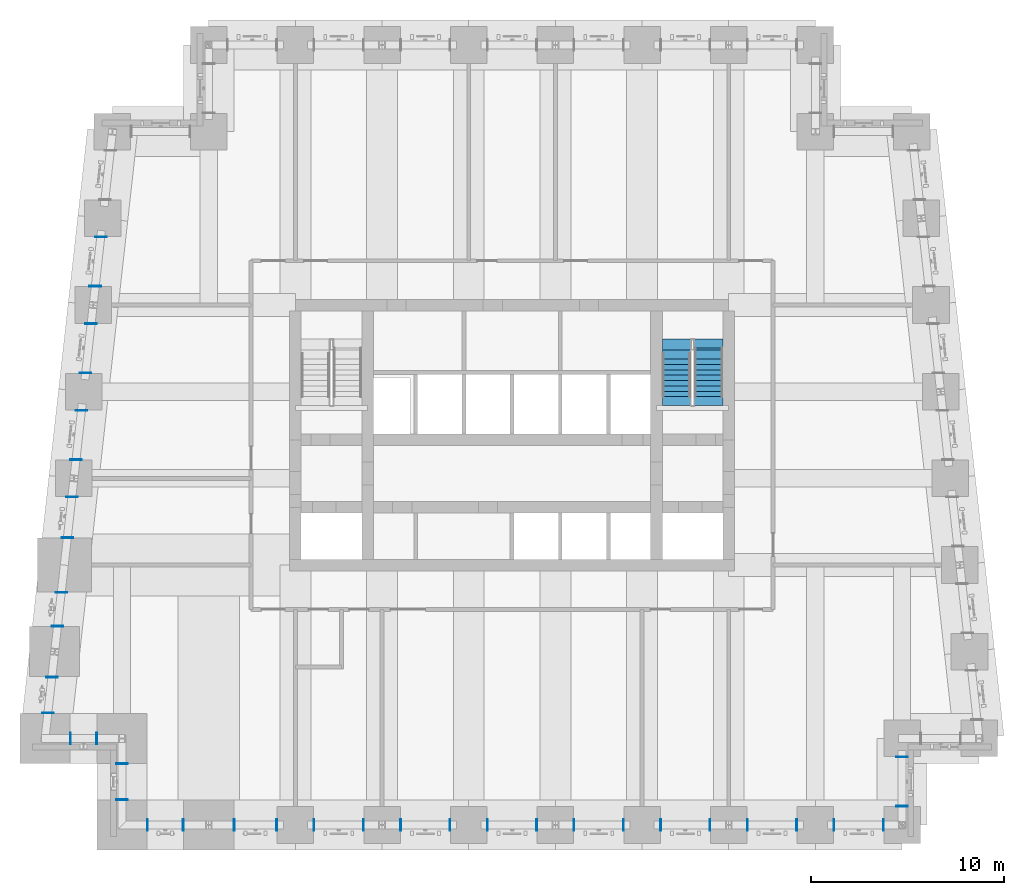
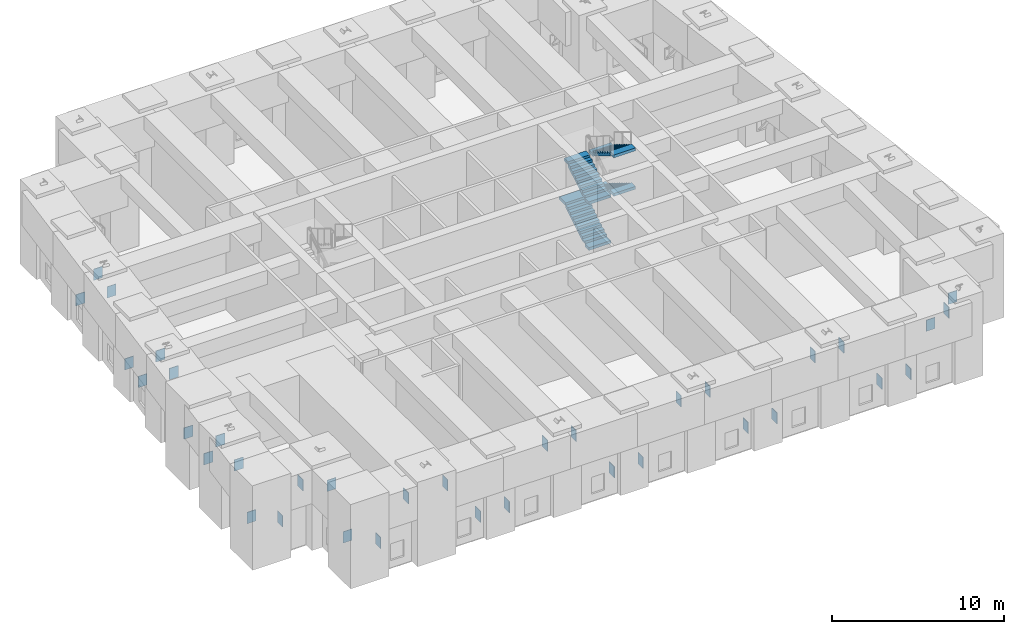
# One storey, part 6 of 17: 36 discrete accessories, 4 stair flights, 1 element without a shape of its own.
"""IFC4 building model written with IfcOpenShell, lengths in metres."""

import ifcopenshell
import ifcopenshell.guid

model = None  # the IFC model being written
_history = None  # IfcOwnerHistory: only IFC2X3 demands one
_inside = {}  # id of a spatial element -> (the spatial element, [elements in it])
_under = {}  # id of a project, library or spatial element -> (it, [spatial elements below it])
_declared = {}  # id of a project -> (the project, [libraries it declares])
_typed = {}  # id of a type object -> (the type object, [elements of that type])
_made_of = {}  # id of a material, layer set ... -> (it, [elements and type objects made of it])


def new_model(schema):
    """Start an empty IFC model of exactly this schema.

    Asked for "IFC4X3", IfcOpenShell would pick the latest addendum, in which some entities
    have other attributes; the version numbers below select the first issue.
    IFC2X3 requires an IfcOwnerHistory on every rooted entity: one is made here for all.
    """
    global model, _history
    if schema == "IFC4X3":
        model = ifcopenshell.file(schema_version=(4, 3, 0, 0))
    else:
        model = ifcopenshell.file(schema=schema)
    _inside.clear()
    _under.clear()
    _declared.clear()
    _typed.clear()
    _made_of.clear()
    _history = None
    if model.schema == "IFC2X3":
        org = make("IfcOrganization", Name="unknown")
        user = make(
            "IfcPersonAndOrganization",
            ThePerson=make("IfcPerson", FamilyName="unknown"),
            TheOrganization=org,
        )
        app = make(
            "IfcApplication",
            ApplicationDeveloper=org,
            Version="unknown",
            ApplicationFullName="unknown",
            ApplicationIdentifier="unknown",
        )
        _history = make(
            "IfcOwnerHistory",
            OwningUser=user,
            OwningApplication=app,
            ChangeAction="ADDED",
            CreationDate=0,
        )
    return model


def make(cls, **values):
    """One entity of the class cls with the attributes given. An attribute that is None is left unset."""
    return model.create_entity(
        cls, **{name: value for name, value in values.items() if value is not None}
    )


def rooted(cls, **values):
    """An entity with a GlobalId (a new one), such as an element, a storey or a relation."""
    return make(cls, GlobalId=ifcopenshell.guid.new(), OwnerHistory=_history, **values)


def si_unit(unit_type, name, prefix=None):
    """IfcSIUnit, for example si_unit("LENGTHUNIT", "METRE", prefix="MILLI")."""
    return make("IfcSIUnit", UnitType=unit_type, Prefix=prefix, Name=name)


def assignment(units):
    """IfcUnitAssignment: the units of a project."""
    return None if units is None else make("IfcUnitAssignment", Units=units)


def point(xyz):
    """IfcCartesianPoint."""
    return None if xyz is None else make("IfcCartesianPoint", Coordinates=xyz)


def direction(xyz):
    """IfcDirection."""
    return None if xyz is None else make("IfcDirection", DirectionRatios=xyz)


def frame(location, z_axis=None, x_axis=None):
    """IfcAxis2Placement3D, a coordinate frame: its origin and axes. An axis left out is left unset."""
    return make(
        "IfcAxis2Placement3D",
        Location=point(location),
        Axis=direction(z_axis),
        RefDirection=direction(x_axis),
    )


def origin():
    """The frame at (0, 0, 0) with its axes left unset."""
    return frame((0.0, 0.0, 0.0))


def place(relative_to, where):
    """IfcLocalPlacement: puts the frame where relative to a parent placement (None: the world)."""
    return make(
        "IfcLocalPlacement", PlacementRelTo=relative_to, RelativePlacement=where
    )


def context(
    kind, dimensions, precision=None, world=None, true_north=None, identifier=None
):
    """IfcGeometricRepresentationContext, for example the 3D "Model" context."""
    return make(
        "IfcGeometricRepresentationContext",
        ContextIdentifier=identifier,
        ContextType=kind,
        CoordinateSpaceDimension=dimensions,
        Precision=precision,
        WorldCoordinateSystem=world,
        TrueNorth=true_north,
    )


def subcontext(parent, identifier, kind, view, scale=None):
    """IfcGeometricRepresentationSubContext, for example "Body" below "Model"."""
    return make(
        "IfcGeometricRepresentationSubContext",
        ContextIdentifier=identifier,
        ContextType=kind,
        ParentContext=parent,
        TargetScale=scale,
        TargetView=view,
    )


def project(units=None, contexts=None):
    """IfcProject with its units and contexts."""
    return rooted(
        "IfcProject",
        Name="project",
        RepresentationContexts=contexts,
        UnitsInContext=assignment(units),
    )


def spatial(cls, under=None, at=None, **own):
    """A site, building, storey or space (cls), placed at a placement, below another one or the project."""
    s = rooted(cls, ObjectPlacement=at, **own)
    if under is not None:
        _under.setdefault(under.id(), (under, []))[1].append(s)
    return s


def polyline(points):
    """IfcPolyline through the points."""
    return make("IfcPolyline", Points=[point(p) for p in points])


def outline(outer, holes=None, kind="AREA"):
    """IfcArbitraryClosedProfileDef: a profile drawn as a closed curve; with holes, ...WithVoids."""
    if holes is None:
        return make("IfcArbitraryClosedProfileDef", ProfileType=kind, OuterCurve=outer)
    return make(
        "IfcArbitraryProfileDefWithVoids",
        ProfileType=kind,
        OuterCurve=outer,
        InnerCurves=holes,
    )


def extrude(swept, where, along, depth):
    """IfcExtrudedAreaSolid: the profile swept, set in the frame where, extruded along a direction by depth."""
    return make(
        "IfcExtrudedAreaSolid",
        SweptArea=swept,
        Position=where,
        ExtrudedDirection=direction(along),
        Depth=depth,
    )


def shape(context_of_items, identifier, shape_type, items):
    """IfcShapeRepresentation: the items that make up one representation, for example the "Body"."""
    return make(
        "IfcShapeRepresentation",
        ContextOfItems=context_of_items,
        RepresentationIdentifier=identifier,
        RepresentationType=shape_type,
        Items=items,
    )


def source(mapping_origin, context_of_items, identifier, shape_type, items):
    """IfcRepresentationMap: a shape defined once, which mapped items show again and again."""
    return make(
        "IfcRepresentationMap",
        MappingOrigin=mapping_origin,
        MappedRepresentation=shape(context_of_items, identifier, shape_type, items),
    )


def transform(
    local_origin,
    x_axis=None,
    y_axis=None,
    z_axis=None,
    scale=None,
    scale2=None,
    scale3=None,
    uniform=True,
):
    """IfcCartesianTransformationOperator3D, or its non-uniform kind. x_axis, y_axis, z_axis: its Axis1, 2, 3."""
    if uniform:
        return make(
            "IfcCartesianTransformationOperator3D",
            Axis1=direction(x_axis),
            Axis2=direction(y_axis),
            LocalOrigin=point(local_origin),
            Scale=scale,
            Axis3=direction(z_axis),
        )
    return make(
        "IfcCartesianTransformationOperator3DnonUniform",
        Axis1=direction(x_axis),
        Axis2=direction(y_axis),
        LocalOrigin=point(local_origin),
        Scale=scale,
        Axis3=direction(z_axis),
        Scale2=scale2,
        Scale3=scale3,
    )


def mapped(mapping_source, mapping_target):
    """IfcMappedItem: shows the shape of a source again, moved by a transform."""
    return make(
        "IfcMappedItem", MappingSource=mapping_source, MappingTarget=mapping_target
    )


def material(Name=None, Category=None):
    """IfcMaterial."""
    return make("IfcMaterial", Name=Name, Category=Category)


def layer(
    of_material, thickness, ventilated=None, Name=None, Category=None, Priority=None
):
    """IfcMaterialLayer: one layer of a wall or slab, of a material (None: an air gap)."""
    return make(
        "IfcMaterialLayer",
        Material=of_material,
        LayerThickness=thickness,
        IsVentilated=ventilated,
        Name=Name,
        Category=Category,
        Priority=Priority,
    )


def layer_set(layers, Name=None):
    """IfcMaterialLayerSet."""
    return make("IfcMaterialLayerSet", MaterialLayers=layers, LayerSetName=Name)


def made_of(thing, what):
    """Note that an element or type object is made of a material, layer set ...; save() writes the relation."""
    if what is not None:
        _made_of.setdefault(what.id(), (what, []))[1].append(thing)
    return thing


def type_object(cls, material=None, **own):
    """A type object (cls), such as IfcWallType, which elements share."""
    return made_of(rooted(cls, **own), material)


def element(
    cls,
    number,
    at=None,
    inside=None,
    cuts=None,
    type_object=None,
    material=None,
    context=None,
    identifier="Body",
    shape_type=None,
    held_by="IfcProductDefinitionShape",
    body=None,
    shapes=None,
    **own,
):
    """One element of the class cls, such as IfcWall. Its Tag is "e" and its number.

    at: its placement. inside: the storey or other place that contains it. cuts: it is an
    opening in that element (IfcRelVoidsElement). A single representation is given by context,
    identifier, shape_type and body (its items); several are given by shapes. held_by: the class
    of the entity that holds the representations. save() writes the other relations.
    """
    e = rooted(cls, Tag="e%d" % number, ObjectPlacement=at, **own)
    if body is not None:
        shapes = [shape(context, identifier, shape_type, body)]
    if shapes is not None:
        e.Representation = make(held_by, Representations=shapes)
    if inside is not None:
        _inside.setdefault(inside.id(), (inside, []))[1].append(e)
    if cuts is not None:
        rooted(
            "IfcRelVoidsElement", RelatingBuildingElement=cuts, RelatedOpeningElement=e
        )
    if type_object is not None:
        _typed.setdefault(type_object.id(), (type_object, []))[1].append(e)
    return made_of(e, material)


def aggregate(whole, parts):
    """IfcRelAggregates: a whole, such as a stair, and the parts it consists of."""
    return rooted("IfcRelAggregates", RelatingObject=whole, RelatedObjects=parts)


def save(model, path):
    """Write the relations noted so far, then the file.

    IfcRelAggregates (storeys below a building ...), IfcRelContainedInSpatialStructure (elements
    in a storey), IfcRelDefinesByType, IfcRelAssociatesMaterial and IfcRelDeclares: one each for
    every whole, place, type object, material and project.
    """
    for whole, parts in _under.values():
        aggregate(whole, parts)
    for where, things in _inside.values():
        rooted(
            "IfcRelContainedInSpatialStructure",
            RelatedElements=things,
            RelatingStructure=where,
        )
    for kind, things in _typed.values():
        rooted("IfcRelDefinesByType", RelatedObjects=things, RelatingType=kind)
    for what, things in _made_of.values():
        rooted("IfcRelAssociatesMaterial", RelatedObjects=things, RelatingMaterial=what)
    for by, libraries in _declared.values():
        rooted("IfcRelDeclares", RelatingContext=by, RelatedDefinitions=libraries)
    model.write(path)


model = new_model("IFC4")

# Units and contexts
model_context = context("Model", 3, precision=1e-05, world=origin(), true_north=direction((0.0, 1.0)))
body_context = subcontext(model_context, "Body", "Model", "MODEL_VIEW")
ifc_project = project(units=[si_unit("LENGTHUNIT", "METRE"), si_unit("AREAUNIT", "SQUARE_METRE"), si_unit("VOLUMEUNIT", "CUBIC_METRE"), si_unit("PLANEANGLEUNIT", "RADIAN"), si_unit("MASSUNIT", "GRAM", prefix="KILO")], contexts=[model_context])

# Site, building, storey
site_placement = place(None, origin())
site = spatial("IfcSite", under=ifc_project, at=site_placement, CompositionType="ELEMENT")
building_placement = place(site_placement, origin())
building = spatial("IfcBuilding", under=site, at=building_placement, Name="Kilele Tower Hotel", CompositionType="ELEMENT")
storey_placement = place(building_placement, frame((0.0, 0.0, 151.89990234375)))
storey = spatial("IfcBuildingStorey", under=building, at=storey_placement, Name="L39", CompositionType="ELEMENT", Elevation=151.89990234375)

# Stair, stair flights
ifc_material_1 = material(Name="Precast concrete C40/50", Category="concrete")
stair_type = type_object("IfcStairType", Name="Stair 1475 x 6000", PredefinedType="HALF_TURN_STAIR", material=ifc_material_1)
stair_placement = place(storey_placement, origin())
stair = element("IfcStair", 1, at=stair_placement, inside=storey, type_object=stair_type, Name="Stair 2 L39", PredefinedType="HALF_TURN_STAIR")
ifc_material_2 = material(Name="Precast concrete C40/50", Category="concrete")
stair_flight_type = type_object("IfcStairFlightType", Name="Flight 1475 riser 171.4", PredefinedType="STRAIGHT", material=ifc_material_2)
stair_flight_1_placement = place(storey_placement, frame((33.28759765625, 22.239990234375, 0.0), z_axis=(0.0, 0.0, 1.0), x_axis=(0.0, 1.0, 0.0)))
stair_flight_1 = element("IfcStairFlight", 2, at=stair_flight_1_placement, type_object=stair_flight_type, Name="ST2 flight 1", NumberOfRisers=9, NumberOfTreads=8, PredefinedType="STRAIGHT", RiserHeight=0.171428571, TreadLength=0.28, context=body_context, shape_type="SweptSolid", body=[
    extrude(outline(polyline([(0.0, 0.0), (0.0, 0.17138671875), (0.280029296875, 0.17138671875), (0.280029296875, 0.3427734375), (0.56005859375, 0.3427734375), (0.56005859375, 0.514404296875), (0.840087890625, 0.514404296875), (0.840087890625, 0.685791015625), (1.1201171875, 0.685791015625), (1.1201171875, 0.857177734375), (1.39990234375, 0.857177734375), (1.39990234375, 1.028564453125), (1.679931640625, 1.028564453125), (1.679931640625, 1.199951171875), (1.9599609375, 1.199951171875), (1.9599609375, 1.371337890625), (2.239990234375, 1.371337890625), (2.239990234375, 1.54296875), (2.239990234375, 1.195556640625), (0.287109375, 0.0), (0.0, 0.0)])), frame((0.0, 0.737548828125, 0.0), z_axis=(0.0, -1.0, 0.0), x_axis=(1.0, 0.0, 0.0)), (0.0, 0.0, 1.0), 1.47509765625),
    extrude(outline(polyline([(-0.465087890625, 0.737548828125), (-0.465087890625, -0.7373046875), (0.0, -0.7373046875), (0.0, 0.737548828125), (-0.465087890625, 0.737548828125)])), frame((0.0, 0.0, -0.199951171875)), (0.0, 0.0, 1.0), 0.199951171875),
    extrude(outline(polyline([(2.239990234375, 0.737548828125), (2.239990234375, -0.7373046875), (2.985107421875, -0.7373046875), (2.985107421875, 0.737548828125), (2.239990234375, 0.737548828125)])), frame((0.0, 0.0, 1.343017578125)), (0.0, 0.0, 1.0), 0.199951171875),
])
stair_flight_2_placement = place(storey_placement, frame((34.96240234375, 24.760009765625, 1.54296875), z_axis=(0.0, 0.0, 1.0), x_axis=(0.0, -1.0, 0.0)))
stair_flight_2 = element("IfcStairFlight", 3, at=stair_flight_2_placement, type_object=stair_flight_type, Name="ST2 flight 2", NumberOfRisers=10, NumberOfTreads=9, PredefinedType="STRAIGHT", RiserHeight=0.171428571, TreadLength=0.28, context=body_context, shape_type="SweptSolid", body=[
    extrude(outline(polyline([(0.0, 0.0), (0.0, 0.17138671875), (0.280029296875, 0.17138671875), (0.280029296875, 0.3427734375), (0.56005859375, 0.3427734375), (0.56005859375, 0.514404296875), (0.840087890625, 0.514404296875), (0.840087890625, 0.685791015625), (1.1201171875, 0.685791015625), (1.1201171875, 0.857177734375), (1.39990234375, 0.857177734375), (1.39990234375, 1.028564453125), (1.679931640625, 1.028564453125), (1.679931640625, 1.199951171875), (1.9599609375, 1.199951171875), (1.9599609375, 1.371337890625), (2.239990234375, 1.371337890625), (2.239990234375, 1.54296875), (2.52001953125, 1.54296875), (2.52001953125, 1.71435546875), (2.52001953125, 1.3671875), (0.287109375, 0.0), (0.0, 0.0)])), frame((0.0, 0.737548828125, 0.0), z_axis=(0.0, -1.0, 0.0), x_axis=(1.0, 0.0, 0.0)), (0.0, 0.0, 1.0), 1.47509765625),
    extrude(outline(polyline([(0.0, -0.7373046875), (0.0, 0.737548828125), (-0.465087890625, 0.737548828125), (-0.465087890625, -0.7373046875), (0.0, -0.7373046875)])), frame((0.0, 0.0, -0.199951171875)), (0.0, 0.0, 1.0), 0.199951171875),
    extrude(outline(polyline([(2.985107421875, -0.7373046875), (2.985107421875, 0.737548828125), (2.52001953125, 0.737548828125), (2.52001953125, -0.7373046875), (2.985107421875, -0.7373046875)])), frame((0.0, 0.0, 1.51416015625)), (0.0, 0.0, 1.0), 0.199951171875),
])
stair_flight_3_placement = place(storey_placement, frame((33.28759765625, 22.239990234375, 3.25732421875), z_axis=(0.0, 0.0, 1.0), x_axis=(0.0, 1.0, 0.0)))
stair_flight_3 = element("IfcStairFlight", 4, at=stair_flight_3_placement, type_object=stair_flight_type, Name="ST2 flight 3", NumberOfRisers=8, NumberOfTreads=7, PredefinedType="STRAIGHT", RiserHeight=0.171428571, TreadLength=0.28, context=body_context, shape_type="SweptSolid", body=[
    extrude(outline(polyline([(0.0, 0.0), (0.0, 0.17138671875), (0.280029296875, 0.17138671875), (0.280029296875, 0.3427734375), (0.56005859375, 0.3427734375), (0.56005859375, 0.514404296875), (0.840087890625, 0.514404296875), (0.840087890625, 0.685791015625), (1.1201171875, 0.685791015625), (1.1201171875, 0.857177734375), (1.39990234375, 0.857177734375), (1.39990234375, 1.028564453125), (1.679931640625, 1.028564453125), (1.679931640625, 1.199951171875), (1.9599609375, 1.199951171875), (1.9599609375, 1.371337890625), (1.9599609375, 1.024169921875), (0.287109375, 0.0), (0.0, 0.0)])), frame((0.0, 0.737548828125, 0.0), z_axis=(0.0, -1.0, 0.0), x_axis=(1.0, 0.0, 0.0)), (0.0, 0.0, 1.0), 1.47509765625),
    extrude(outline(polyline([(-0.465087890625, 0.737548828125), (-0.465087890625, -0.7373046875), (0.0, -0.7373046875), (0.0, 0.737548828125), (-0.465087890625, 0.737548828125)])), frame((0.0, 0.0, -0.2001953125)), (0.0, 0.0, 1.0), 0.199951171875),
    extrude(outline(polyline([(1.9599609375, 0.737548828125), (1.9599609375, -0.7373046875), (2.425048828125, -0.7373046875), (2.425048828125, 0.737548828125), (1.9599609375, 0.737548828125)])), frame((0.0, 0.0, 1.17138671875)), (0.0, 0.0, 1.0), 0.199951171875),
])
stair_flight_4_placement = place(storey_placement, frame((34.96240234375, 24.199951171875, 4.628662109375), z_axis=(0.0, 0.0, 1.0), x_axis=(0.0, -1.0, 0.0)))
stair_flight_4 = element("IfcStairFlight", 5, at=stair_flight_4_placement, type_object=stair_flight_type, Name="ST2 flight 4", NumberOfRisers=8, NumberOfTreads=7, PredefinedType="STRAIGHT", RiserHeight=0.171428571, TreadLength=0.28, context=body_context, shape_type="SweptSolid", body=[
    extrude(outline(polyline([(0.0, 0.0), (0.0, 0.17138671875), (0.280029296875, 0.17138671875), (0.280029296875, 0.3427734375), (0.56005859375, 0.3427734375), (0.56005859375, 0.514404296875), (0.840087890625, 0.514404296875), (0.840087890625, 0.685791015625), (1.1201171875, 0.685791015625), (1.1201171875, 0.857177734375), (1.39990234375, 0.857177734375), (1.39990234375, 1.028564453125), (1.679931640625, 1.028564453125), (1.679931640625, 1.199951171875), (1.9599609375, 1.199951171875), (1.9599609375, 1.371337890625), (1.9599609375, 1.024169921875), (0.287109375, 0.0), (0.0, 0.0)])), frame((0.0, 0.737548828125, 0.0), z_axis=(0.0, -1.0, 0.0), x_axis=(1.0, 0.0, 0.0)), (0.0, 0.0, 1.0), 1.47509765625),
    extrude(outline(polyline([(0.0, -0.7373046875), (0.0, 0.737548828125), (-0.465087890625, 0.737548828125), (-0.465087890625, -0.7373046875), (0.0, -0.7373046875)])), frame((0.0, 0.0, -0.199951171875)), (0.0, 0.0, 1.0), 0.199951171875),
    extrude(outline(polyline([(2.425048828125, -0.7373046875), (2.425048828125, 0.737548828125), (1.9599609375, 0.737548828125), (1.9599609375, -0.7373046875), (2.425048828125, -0.7373046875)])), frame((0.0, 0.0, 1.17138671875)), (0.0, 0.0, 1.0), 0.199951171875),
])
aggregate(stair, [stair_flight_1, stair_flight_2, stair_flight_3, stair_flight_4])

# Discrete accessories
ifc_material_3 = material(Name="Steel S355", Category="steel")
ifc_layer = layer(ifc_material_3, 0.0400390625)
ifc_layer_set = layer_set([ifc_layer], Name="Steel S355")
discrete_accessory_type = type_object("IfcDiscreteAccessoryType", Name="Cast-in anchor plate 800x600x40", PredefinedType="ANCHORPLATE", material=ifc_layer_set)
shared_shape = source(origin(), body_context, "Body", "SweptSolid", [
    extrude(outline(polyline([(0.0, 0.0), (0.0400390625, 0.0), (0.0400390625, 0.800048828125), (0.0, 0.800048828125), (0.0, 0.0)])), origin(), (0.0, 0.0, 1.0), 0.60009765625),
])
for number, where, z_axis, x_axis, name in (
    (6, (1.800048828125, 4.800048828125, 1.550048828125), (0.0, -1.0, 0.0), (1.0, 0.0, 0.0), "Cast-in anchor plate L39"),
    (7, (3.199951171875, 4.199951171875, 3.650146484375), (0.0, 1.0, 0.0), (-1.0, 0.0, 0.0), "Cast-in anchor plate L39"),
    (8, (4.800048828125, 3.199951171875, 3.86669921875), (-1.0, 0.0, 0.0), (0.0, -1.0, 0.0), "Cast-in anchor plate L39"),
    (9, (4.199951171875, 1.300048828125, 1.33349609375), (1.0, 0.0, 0.0), (0.0, 1.0, 0.0), "Cast-in anchor plate L39"),
    (10, (5.800048828125, 0.300048828125, 1.33349609375), (0.0, -1.0, 0.0), (1.0, 0.0, 0.0), "Cast-in anchor plate L39"),
    (11, (7.699951171875, -0.300048828125, 3.86669921875), (0.0, 1.0, 0.0), (-1.0, 0.0, 0.0), "Cast-in anchor plate L39"),
    (12, (10.300048828125, 0.300048828125, 3.86669921875), (0.0, -1.0, 0.0), (1.0, 0.0, 0.0), "Cast-in anchor plate L39"),
    (13, (12.550048828125, -0.300048828125, 0.86669921875), (0.0, 1.0, 0.0), (-1.0, 0.0, 0.0), "Cast-in anchor plate L39"),
    (14, (14.449951171875, 0.300048828125, 0.86669921875), (0.0, -1.0, 0.0), (1.0, 0.0, 0.0), "Cast-in anchor plate L39"),
    (15, (17.050048828125, -0.300048828125, 4.33349609375), (0.0, 1.0, 0.0), (-1.0, 0.0, 0.0), "Cast-in anchor plate L39"),
    (16, (18.949951171875, 0.300048828125, 4.33349609375), (0.0, -1.0, 0.0), (1.0, 0.0, 0.0), "Cast-in anchor plate L39"),
    (17, (21.550048828125, -0.300048828125, 0.86669921875), (0.0, 1.0, 0.0), (-1.0, 0.0, 0.0), "Cast-in anchor plate L39"),
    (18, (23.449951171875, 0.300048828125, 0.86669921875), (0.0, -1.0, 0.0), (1.0, 0.0, 0.0), "Cast-in anchor plate L39"),
    (19, (26.050048828125, -0.300048828125, 4.33349609375), (0.0, 1.0, 0.0), (-1.0, 0.0, 0.0), "Cast-in anchor plate L39"),
    (20, (27.949951171875, 0.300048828125, 4.33349609375), (0.0, -1.0, 0.0), (1.0, 0.0, 0.0), "Cast-in anchor plate L39"),
    (21, (30.550048828125, -0.300048828125, 0.86669921875), (0.0, 1.0, 0.0), (-1.0, 0.0, 0.0), "Cast-in anchor plate L39"),
    (22, (32.449951171875, 0.300048828125, 0.86669921875), (0.0, -1.0, 0.0), (1.0, 0.0, 0.0), "Cast-in anchor plate L39"),
    (23, (35.050048828125, -0.300048828125, 4.33349609375), (0.0, 1.0, 0.0), (-1.0, 0.0, 0.0), "Cast-in anchor plate L39"),
    (24, (36.949951171875, 0.300048828125, 4.33349609375), (0.0, -1.0, 0.0), (1.0, 0.0, 0.0), "Cast-in anchor plate L39"),
    (25, (39.550048828125, -0.300048828125, 0.86669921875), (0.0, 1.0, 0.0), (-1.0, 0.0, 0.0), "Cast-in anchor plate L39"),
    (26, (41.449951171875, 0.300048828125, 0.86669921875), (0.0, -1.0, 0.0), (1.0, 0.0, 0.0), "Cast-in anchor plate L39"),
    (27, (44.050048828125, -0.300048828125, 4.33349609375), (0.0, 1.0, 0.0), (-1.0, 0.0, 0.0), "Cast-in anchor plate L39"),
    (28, (44.699951171875, 0.949951171875, 4.33349609375), (1.0, 0.0, 0.0), (0.0, 1.0, 0.0), "Cast-in anchor plate L39"),
    (29, (45.300048828125, 3.550048828125, 0.86669921875), (-1.0, 0.0, 0.0), (0.0, -1.0, 0.0), "Cast-in anchor plate L39"),
    (30, (3.6943359375, 30.550048828125, 0.86669921875), (-1.0, 0.0, 0.0), (0.0, -1.0, 0.0), "Cast-in anchor plate L39"),
    (31, (2.8056640625, 27.949951171875, 4.33349609375), (1.0, 0.0, 0.0), (0.0, 1.0, 0.0), "Cast-in anchor plate L39"),
    (32, (3.1943359375, 26.050048828125, 4.33349609375), (-1.0, 0.0, 0.0), (0.0, -1.0, 0.0), "Cast-in anchor plate L39"),
    (33, (2.3056640625, 23.449951171875, 0.86669921875), (1.0, 0.0, 0.0), (0.0, 1.0, 0.0), "Cast-in anchor plate L39"),
    (34, (2.6943359375, 21.550048828125, 0.86669921875), (-1.0, 0.0, 0.0), (0.0, -1.0, 0.0), "Cast-in anchor plate L39"),
    (35, (1.8056640625, 18.949951171875, 4.33349609375), (1.0, 0.0, 0.0), (0.0, 1.0, 0.0), "Cast-in anchor plate L39"),
    (36, (2.1943359375, 17.050048828125, 4.33349609375), (-1.0, 0.0, 0.0), (0.0, -1.0, 0.0), "Cast-in anchor plate L39"),
    (37, (1.355712890625, 14.89990234375, 1.466796875), (1.0, 0.0, 0.0), (0.0, 1.0, 0.0), "Cast-in anchor plate L39"),
    (38, (1.644287109375, 12.10009765625, 1.466796875), (-1.0, 0.0, 0.0), (0.0, -1.0, 0.0), "Cast-in anchor plate L39"),
    (39, (0.844482421875, 10.300048828125, 3.86669921875), (1.0, 0.0, 0.0), (0.0, 1.0, 0.0), "Cast-in anchor plate L39"),
    (40, (1.155517578125, 7.699951171875, 3.86669921875), (-1.0, 0.0, 0.0), (0.0, -1.0, 0.0), "Cast-in anchor plate L39"),
    (41, (0.344482421875, 5.800048828125, 1.33349609375), (1.0, 0.0, 0.0), (0.0, 1.0, 0.0), "Cast-in anchor plate L39"),
):
    element("IfcDiscreteAccessory", number, at=place(storey_placement, frame(where, z_axis=z_axis, x_axis=x_axis)), inside=storey, type_object=discrete_accessory_type, Name=name, PredefinedType="ANCHORPLATE", context=body_context, shape_type="MappedRepresentation", body=[
        mapped(shared_shape, transform((0.0, 0.0, 0.0))),
    ])

save(model, "model.ifc")
